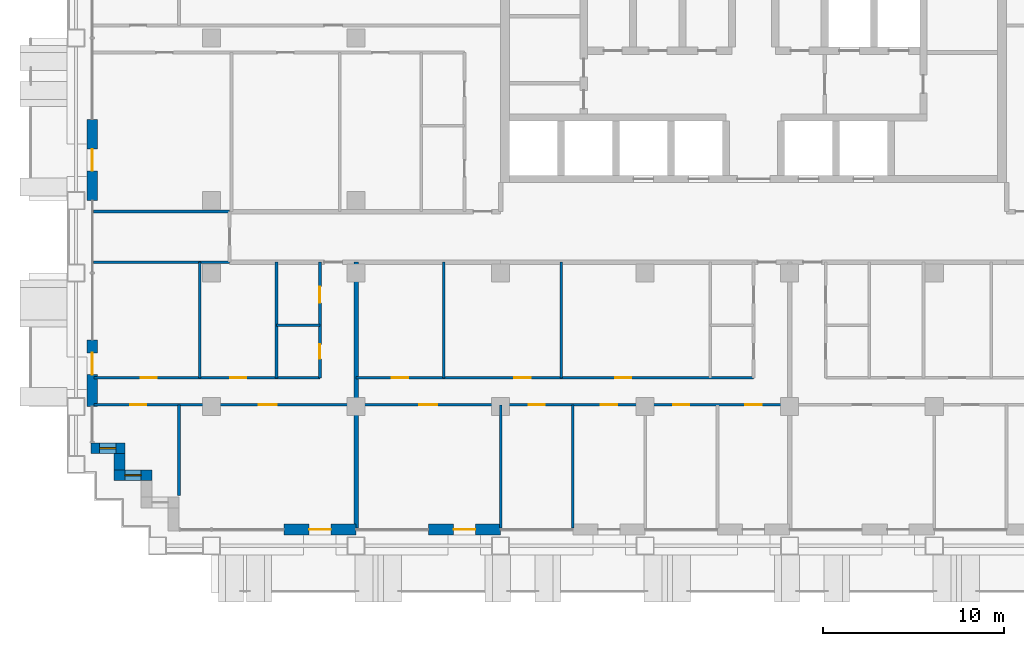
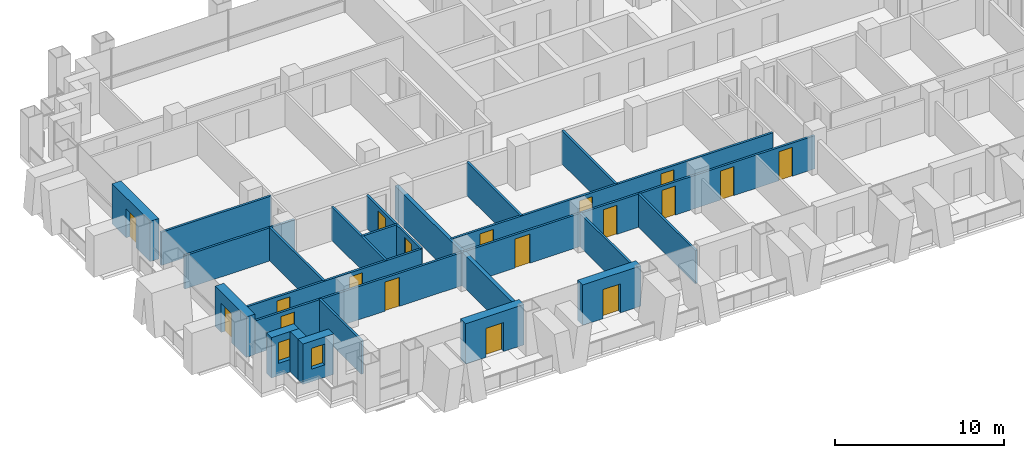
# One storey, part 9 of 18: 23 walls, 18 doors, 2 windows, 20 openings.
"""IFC4 building model written with IfcOpenShell, lengths in metres."""

from ifc_helpers import new_model, si_unit, direction, frame, frame_2d, origin, place, context, subcontext, project, spatial, rectangle, extrude, material, layer, layer_set, type_object, element, fill, save


model = new_model("IFC4")

# Units and contexts
model_context = context("Model", 3, precision=1e-05, world=origin(), true_north=direction((0.0, 1.0)))
body_context = subcontext(model_context, "Body", "Model", "MODEL_VIEW")
ifc_project = project(units=[si_unit("LENGTHUNIT", "METRE"), si_unit("AREAUNIT", "SQUARE_METRE"), si_unit("VOLUMEUNIT", "CUBIC_METRE"), si_unit("PLANEANGLEUNIT", "RADIAN"), si_unit("MASSUNIT", "GRAM", prefix="KILO")], contexts=[model_context])

# Site, building, storey
site_placement = place(None, origin())
site = spatial("IfcSite", under=ifc_project, at=site_placement, CompositionType="ELEMENT")
building_placement = place(site_placement, origin())
building = spatial("IfcBuilding", under=site, at=building_placement, Name="Vidyagriha Tower", CompositionType="ELEMENT")
storey_placement = place(building_placement, frame((0.0, 0.0, 44.800048828125)))
storey = spatial("IfcBuildingStorey", under=building, at=storey_placement, Name="L11", CompositionType="ELEMENT", Elevation=44.800048828125)

# Wall, opening, door
ifc_material_1 = material(Name="Precast concrete C40/50 with brick facing", Category="concrete")
ifc_layer_1 = layer(ifc_material_1, 0.60009765625)
ifc_layer_set_1 = layer_set([ifc_layer_1], Name="Precast concrete C40/50 with brick facing")
wall_type_1 = type_object("IfcWallType", Name="Brick-faced precast wall 600", PredefinedType="STANDARD", material=ifc_layer_set_1)
wall_1_placement = place(storey_placement, frame((-36.60009765625, 6.5, 0.0), z_axis=(0.0, 0.0, 1.0), x_axis=(0.0, -1.0, 0.0)))
wall_1 = element("IfcWall", 1, at=wall_1_placement, inside=storey, type_object=wall_type_1, Name="Brick door bay wall L11 R16.3", PredefinedType="STANDARD", context=body_context, shape_type="SweptSolid", body=[
    extrude(rectangle(XDim=4.5, YDim=0.60009765625, at=frame_2d((2.25, 0.0))), origin(), (0.0, 0.0, 1.0), 2.919921875),
])
opening_1_placement = place(wall_1_placement, frame((1.64990234375, 0.0, 0.0)))
opening_1 = element("IfcOpeningElement", 2, at=opening_1_placement, cuts=wall_1, Name="Opening D11-75", PredefinedType="OPENING", context=body_context, shape_type="SweptSolid", body=[
    extrude(rectangle(XDim=1.199951171875, YDim=2.10009765625, at=frame_2d((0.60009765625, 1.050048828125))), frame((0.0, 0.31005859375, 0.0), z_axis=(0.0, -1.0, 0.0), x_axis=(1.0, 0.0, 0.0)), (0.0, 0.0, 1.0), 0.6201171875),
])
ifc_material_2 = material(Name="Aluminium framed glazed sliding door", Category="aluminium")
door_type_1 = type_object("IfcDoorType", Name="Balcony sliding door 1200x2100", OperationType="NOTDEFINED", PredefinedType="DOOR", material=ifc_material_2)
door_1_placement = place(opening_1_placement, origin())
door_1 = element("IfcDoor", 3, at=door_1_placement, inside=storey, type_object=door_type_1, Name="Door D11-75", OperationType="SLIDING_TO_LEFT", OverallHeight=2.10009765625, OverallWidth=1.199951171875, PredefinedType="DOOR", context=body_context, shape_type="SweptSolid", body=[
    extrude(rectangle(XDim=1.199951171875, YDim=2.10009765625, at=frame_2d((0.60009765625, 1.050048828125))), frame((0.0, 0.02490234375, 0.0), z_axis=(0.0, -1.0, 0.0), x_axis=(1.0, 0.0, 0.0)), (0.0, 0.0, 1.0), 0.050048828125),
])
fill(opening_1, door_1)

wall_2_placement = place(storey_placement, frame((-36.60009765625, -5.699951171875, 0.0), z_axis=(0.0, 0.0, 1.0), x_axis=(0.0, -1.0, 0.0)))
wall_2 = element("IfcWall", 4, at=wall_2_placement, inside=storey, type_object=wall_type_1, Name="Brick door bay wall L11 R16.6", PredefinedType="STANDARD", context=body_context, shape_type="SweptSolid", body=[
    extrude(rectangle(XDim=3.699951171875, YDim=0.60009765625, at=frame_2d((1.85009765625, 0.0))), origin(), (0.0, 0.0, 1.0), 2.919921875),
])
opening_2_placement = place(wall_2_placement, frame((0.72509765625, 0.0, 0.0)))
opening_2 = element("IfcOpeningElement", 5, at=opening_2_placement, cuts=wall_2, Name="Opening D11-76", PredefinedType="OPENING", context=body_context, shape_type="SweptSolid", body=[
    extrude(rectangle(XDim=1.199951171875, YDim=2.10009765625, at=frame_2d((0.60009765625, 1.050048828125))), frame((0.0, 0.31005859375, 0.0), z_axis=(0.0, -1.0, 0.0), x_axis=(1.0, 0.0, 0.0)), (0.0, 0.0, 1.0), 0.6201171875),
])
door_2_placement = place(opening_2_placement, origin())
door_2 = element("IfcDoor", 6, at=door_2_placement, inside=storey, type_object=door_type_1, Name="Door D11-76", OperationType="SLIDING_TO_LEFT", OverallHeight=2.10009765625, OverallWidth=1.199951171875, PredefinedType="DOOR", context=body_context, shape_type="SweptSolid", body=[
    extrude(rectangle(XDim=1.199951171875, YDim=2.10009765625, at=frame_2d((0.60009765625, 1.050048828125))), frame((0.0, 0.02490234375, 0.0), z_axis=(0.0, -1.0, 0.0), x_axis=(1.0, 0.0, 0.0)), (0.0, 0.0, 1.0), 0.050048828125),
])
fill(opening_2, door_2)

# Wall, opening, window
wall_3_placement = place(storey_placement, frame((-36.679931640625, -11.699951171875, 0.0)))
wall_3 = element("IfcWall", 7, at=wall_3_placement, inside=storey, type_object=wall_type_1, Name="Stepped corner wall L11 R17", PredefinedType="STANDARD", context=body_context, shape_type="SweptSolid", body=[
    extrude(rectangle(XDim=1.8798828125, YDim=0.60009765625, at=frame_2d((0.93994140625, 0.0))), origin(), (0.0, 0.0, 1.0), 2.919921875),
])
opening_3_placement = place(wall_3_placement, frame((0.489990234375, 0.0, 0.89990234375)))
opening_3 = element("IfcOpeningElement", 8, at=opening_3_placement, cuts=wall_3, Name="Opening WN1", PredefinedType="OPENING", context=body_context, shape_type="SweptSolid", body=[
    extrude(rectangle(XDim=0.89990234375, YDim=1.5, at=frame_2d((0.449951171875, 0.75))), frame((0.0, 0.31005859375, 0.0), z_axis=(0.0, -1.0, 0.0), x_axis=(1.0, 0.0, 0.0)), (0.0, 0.0, 1.0), 0.6201171875),
])
ifc_material_3 = material(Name="Aluminium and glass window", Category="aluminium")
window_type = type_object("IfcWindowType", Name="Reveal window 900x1500", PartitioningType="NOTDEFINED", PredefinedType="WINDOW", material=ifc_material_3)
window_1_placement = place(opening_3_placement, origin())
window_1 = element("IfcWindow", 9, at=window_1_placement, inside=storey, type_object=window_type, Name="Reveal window L11 R17", OverallHeight=1.5, OverallWidth=0.89990234375, PartitioningType="SINGLE_PANEL", PredefinedType="WINDOW", context=body_context, shape_type="SweptSolid", body=[
    extrude(rectangle(XDim=0.89990234375, YDim=1.5, at=frame_2d((0.449951171875, 0.75))), frame((0.0, 0.030029296875, 0.0), z_axis=(0.0, -1.0, 0.0), x_axis=(1.0, 0.0, 0.0)), (0.0, 0.0, 1.0), 0.06005859375),
])
fill(opening_3, window_1)

# Wall
wall_4_placement = place(storey_placement, frame((-35.10009765625, -12.0, 0.0), z_axis=(0.0, 0.0, 1.0), x_axis=(0.0, -1.0, 0.0)))
element("IfcWall", 10, at=wall_4_placement, inside=storey, type_object=wall_type_1, Name="Stepped corner wall L11 R18", PredefinedType="STANDARD", context=body_context, shape_type="SweptSolid", body=[
    extrude(rectangle(XDim=0.89990234375, YDim=0.60009765625, at=frame_2d((0.449951171875, 0.0))), origin(), (0.0, 0.0, 1.0), 2.919921875),
])

# Wall, opening, window
wall_5_placement = place(storey_placement, frame((-35.39990234375, -13.199951171875, 0.0)))
wall_5 = element("IfcWall", 11, at=wall_5_placement, inside=storey, type_object=wall_type_1, Name="Stepped corner wall L11 R19", PredefinedType="STANDARD", context=body_context, shape_type="SweptSolid", body=[
    extrude(rectangle(XDim=2.099853515625, YDim=0.60009765625, at=frame_2d((1.0498046875, 0.0))), origin(), (0.0, 0.0, 1.0), 2.919921875),
])
opening_4_placement = place(wall_5_placement, frame((0.60009765625, 0.0, 0.89990234375)))
opening_4 = element("IfcOpeningElement", 12, at=opening_4_placement, cuts=wall_5, Name="Opening WN1", PredefinedType="OPENING", context=body_context, shape_type="SweptSolid", body=[
    extrude(rectangle(XDim=0.89990234375, YDim=1.5, at=frame_2d((0.449951171875, 0.75))), frame((0.0, 0.31005859375, 0.0), z_axis=(0.0, -1.0, 0.0), x_axis=(1.0, 0.0, 0.0)), (0.0, 0.0, 1.0), 0.6201171875),
])
window_2_placement = place(opening_4_placement, origin())
window_2 = element("IfcWindow", 13, at=window_2_placement, inside=storey, type_object=window_type, Name="Reveal window L11 R19", OverallHeight=1.5, OverallWidth=0.89990234375, PartitioningType="SINGLE_PANEL", PredefinedType="WINDOW", context=body_context, shape_type="SweptSolid", body=[
    extrude(rectangle(XDim=0.89990234375, YDim=1.5, at=frame_2d((0.449951171875, 0.75))), frame((0.0, 0.030029296875, 0.0), z_axis=(0.0, -1.0, 0.0), x_axis=(1.0, 0.0, 0.0)), (0.0, 0.0, 1.0), 0.06005859375),
])
fill(opening_4, window_2)

# Wall, opening, door
wall_6_placement = place(storey_placement, frame((-26.0, -16.199951171875, 0.0)))
wall_6 = element("IfcWall", 14, at=wall_6_placement, inside=storey, type_object=wall_type_1, Name="Brick door bay wall L11 R23.3", PredefinedType="STANDARD", context=body_context, shape_type="SweptSolid", body=[
    extrude(rectangle(XDim=4.0, YDim=0.60009765625, at=frame_2d((2.0, 0.0))), origin(), (0.0, 0.0, 1.0), 2.919921875),
])
opening_5_placement = place(wall_6_placement, frame((1.39990234375, 0.0, 0.0)))
opening_5 = element("IfcOpeningElement", 15, at=opening_5_placement, cuts=wall_6, Name="Opening D11-77", PredefinedType="OPENING", context=body_context, shape_type="SweptSolid", body=[
    extrude(rectangle(XDim=1.199951171875, YDim=2.10009765625, at=frame_2d((0.60009765625, 1.050048828125))), frame((0.0, 0.31005859375, 0.0), z_axis=(0.0, -1.0, 0.0), x_axis=(1.0, 0.0, 0.0)), (0.0, 0.0, 1.0), 0.6201171875),
])
door_3_placement = place(opening_5_placement, origin())
door_3 = element("IfcDoor", 16, at=door_3_placement, inside=storey, type_object=door_type_1, Name="Door D11-77", OperationType="SLIDING_TO_LEFT", OverallHeight=2.10009765625, OverallWidth=1.199951171875, PredefinedType="DOOR", context=body_context, shape_type="SweptSolid", body=[
    extrude(rectangle(XDim=1.199951171875, YDim=2.10009765625, at=frame_2d((0.60009765625, 1.050048828125))), frame((0.0, 0.02490234375, 0.0), z_axis=(0.0, -1.0, 0.0), x_axis=(1.0, 0.0, 0.0)), (0.0, 0.0, 1.0), 0.050048828125),
])
fill(opening_5, door_3)

wall_7_placement = place(storey_placement, frame((-18.0, -16.199951171875, 0.0)))
wall_7 = element("IfcWall", 17, at=wall_7_placement, inside=storey, type_object=wall_type_1, Name="Brick door bay wall L11 R23.5", PredefinedType="STANDARD", context=body_context, shape_type="SweptSolid", body=[
    extrude(rectangle(XDim=4.0, YDim=0.60009765625, at=frame_2d((2.0, 0.0))), origin(), (0.0, 0.0, 1.0), 2.919921875),
])
opening_6_placement = place(wall_7_placement, frame((1.39990234375, 0.0, 0.0)))
opening_6 = element("IfcOpeningElement", 18, at=opening_6_placement, cuts=wall_7, Name="Opening D11-78", PredefinedType="OPENING", context=body_context, shape_type="SweptSolid", body=[
    extrude(rectangle(XDim=1.199951171875, YDim=2.10009765625, at=frame_2d((0.60009765625, 1.050048828125))), frame((0.0, 0.31005859375, 0.0), z_axis=(0.0, -1.0, 0.0), x_axis=(1.0, 0.0, 0.0)), (0.0, 0.0, 1.0), 0.6201171875),
])
door_4_placement = place(opening_6_placement, origin())
door_4 = element("IfcDoor", 19, at=door_4_placement, inside=storey, type_object=door_type_1, Name="Door D11-78", OperationType="SLIDING_TO_LEFT", OverallHeight=2.10009765625, OverallWidth=1.199951171875, PredefinedType="DOOR", context=body_context, shape_type="SweptSolid", body=[
    extrude(rectangle(XDim=1.199951171875, YDim=2.10009765625, at=frame_2d((0.60009765625, 1.050048828125))), frame((0.0, 0.02490234375, 0.0), z_axis=(0.0, -1.0, 0.0), x_axis=(1.0, 0.0, 0.0)), (0.0, 0.0, 1.0), 0.050048828125),
])
fill(opening_6, door_4)

# Walls
ifc_material_4 = material(Name="Fired clay brick masonry", Category="masonry")
ifc_layer_2 = layer(ifc_material_4, 0.25)
ifc_layer_set_2 = layer_set([ifc_layer_2], Name="Fired clay brick masonry")
wall_type_2 = type_object("IfcWallType", Name="Fired clay brick demising wall 250", PredefinedType="PARTITIONING", material=ifc_layer_set_2)
wall_8_placement = place(storey_placement, frame((-22.0, -1.39990234375, 0.0), z_axis=(0.0, 0.0, 1.0), x_axis=(0.0, -1.0, 0.0)))
element("IfcWall", 20, at=wall_8_placement, inside=storey, type_object=wall_type_2, Name="Wall all-L11-w037", PredefinedType="PARTITIONING", context=body_context, shape_type="SweptSolid", body=[
    extrude(rectangle(XDim=14.710205078125, YDim=0.25, at=frame_2d((7.35498046875, 0.0))), origin(), (0.0, 0.0, 1.0), 2.39990234375),
])
ifc_material_5 = material(Name="Gypsum board partition")
ifc_layer_3 = layer(ifc_material_5, 0.14990234375)
ifc_layer_set_3 = layer_set([ifc_layer_3], Name="Gypsum board partition")
wall_type_3 = type_object("IfcWallType", Name="Gypsum board partition 150", PredefinedType="PARTITIONING", material=ifc_layer_set_3)
wall_9_placement = place(storey_placement, frame((-24.0, -4.89990234375, 0.0), z_axis=(0.0, 0.0, 1.0), x_axis=(-1.0, 0.0, 0.0)))
element("IfcWall", 21, at=wall_9_placement, inside=storey, type_object=wall_type_3, Name="Wall all-L11-w004", PredefinedType="PARTITIONING", context=body_context, shape_type="SweptSolid", body=[
    extrude(rectangle(XDim=2.39990234375, YDim=0.14990234375, at=frame_2d((1.199951171875, 0.0))), origin(), (0.0, 0.0, 1.0), 2.39990234375),
])
for number, where, z_axis, x_axis, name in (
    (22, (-26.39990234375, -7.800048828125, 0.0), (0.0, 0.0, 1.0), (0.0, 1.0, 0.0), "Wall all-L11-w005"),
    (23, (-30.64990234375, -7.800048828125, 0.0), (0.0, 0.0, 1.0), (0.0, 1.0, 0.0), "Wall all-L11-w006"),
):
    element("IfcWall", number, at=place(storey_placement, frame(where, z_axis=z_axis, x_axis=x_axis)), inside=storey, type_object=wall_type_3, Name=name, PredefinedType="PARTITIONING", context=body_context, shape_type="SweptSolid", body=[
        extrude(rectangle(XDim=6.400146484375, YDim=0.14990234375, at=frame_2d((3.2001953125, 0.0))), origin(), (0.0, 0.0, 1.0), 2.39990234375),
    ])

# Wall, openings, doors
wall_10_placement = place(storey_placement, frame((-36.510009765625, -7.800048828125, 0.0)))
wall_10 = element("IfcWall", 24, at=wall_10_placement, inside=storey, type_object=wall_type_3, Name="Wall all-L11-w007", PredefinedType="PARTITIONING", context=body_context, shape_type="SweptSolid", body=[
    extrude(rectangle(XDim=12.510009765625, YDim=0.14990234375, at=frame_2d((6.2548828125, 0.0))), origin(), (0.0, 0.0, 1.0), 2.39990234375),
])
opening_7_placement = place(wall_10_placement, frame((7.534912109375, 0.0, 0.0)))
opening_7 = element("IfcOpeningElement", 25, at=opening_7_placement, cuts=wall_10, Name="Opening D11-17", PredefinedType="OPENING", context=body_context, shape_type="SweptSolid", body=[
    extrude(rectangle(XDim=0.89990234375, YDim=2.10009765625, at=frame_2d((0.449951171875, 1.050048828125))), frame((0.0, 0.0849609375, 0.0), z_axis=(0.0, -1.0, 0.0), x_axis=(1.0, 0.0, 0.0)), (0.0, 0.0, 1.0), 0.169921875),
])
opening_8_placement = place(wall_10_placement, frame((2.5849609375, 0.0, 0.0)))
opening_8 = element("IfcOpeningElement", 26, at=opening_8_placement, cuts=wall_10, Name="Opening D11-18", PredefinedType="OPENING", context=body_context, shape_type="SweptSolid", body=[
    extrude(rectangle(XDim=0.89990234375, YDim=2.10009765625, at=frame_2d((0.449951171875, 1.050048828125))), frame((0.0, 0.0849609375, 0.0), z_axis=(0.0, -1.0, 0.0), x_axis=(1.0, 0.0, 0.0)), (0.0, 0.0, 1.0), 0.169921875),
])
ifc_material_6 = material(Name="Timber door leaf", Category="wood")
door_type_2 = type_object("IfcDoorType", Name="Room door 900x2100", OperationType="NOTDEFINED", PredefinedType="DOOR", material=ifc_material_6)
door_5_placement = place(opening_7_placement, origin())
door_5 = element("IfcDoor", 27, at=door_5_placement, inside=storey, type_object=door_type_2, Name="Door D11-17", OperationType="SINGLE_SWING_RIGHT", OverallHeight=2.10009765625, OverallWidth=0.89990234375, PredefinedType="DOOR", context=body_context, shape_type="SweptSolid", body=[
    extrude(rectangle(XDim=0.89990234375, YDim=2.10009765625, at=frame_2d((0.449951171875, 1.050048828125))), frame((0.0, 0.02490234375, 0.0), z_axis=(0.0, -1.0, 0.0), x_axis=(1.0, 0.0, 0.0)), (0.0, 0.0, 1.0), 0.050048828125),
])
fill(opening_7, door_5)
door_6_placement = place(opening_8_placement, origin())
door_6 = element("IfcDoor", 28, at=door_6_placement, inside=storey, type_object=door_type_2, Name="Door D11-18", OperationType="SINGLE_SWING_LEFT", OverallHeight=2.10009765625, OverallWidth=0.89990234375, PredefinedType="DOOR", context=body_context, shape_type="SweptSolid", body=[
    extrude(rectangle(XDim=0.89990234375, YDim=2.10009765625, at=frame_2d((0.449951171875, 1.050048828125))), frame((0.0, 0.02490234375, 0.0), z_axis=(0.0, -1.0, 0.0), x_axis=(1.0, 0.0, 0.0)), (0.0, 0.0, 1.0), 0.050048828125),
])
fill(opening_8, door_6)

wall_11_placement = place(storey_placement, frame((-22.0, -9.300048828125, 0.0), z_axis=(0.0, 0.0, 1.0), x_axis=(-1.0, 0.0, 0.0)))
wall_11 = element("IfcWall", 29, at=wall_11_placement, inside=storey, type_object=wall_type_3, Name="Wall all-L11-w010", PredefinedType="PARTITIONING", context=body_context, shape_type="SweptSolid", body=[
    extrude(rectangle(XDim=14.510009765625, YDim=0.14990234375, at=frame_2d((7.2548828125, 0.0))), origin(), (0.0, 0.0, 1.0), 2.39990234375),
])
opening_9_placement = place(wall_11_placement, frame((11.60009765625, 0.0, 0.0)))
opening_9 = element("IfcOpeningElement", 30, at=opening_9_placement, cuts=wall_11, Name="Opening D11-19", PredefinedType="OPENING", context=body_context, shape_type="SweptSolid", body=[
    extrude(rectangle(XDim=0.89990234375, YDim=2.10009765625, at=frame_2d((0.449951171875, 1.050048828125))), frame((0.0, 0.0849609375, 0.0), z_axis=(0.0, -1.0, 0.0), x_axis=(1.0, 0.0, 0.0)), (0.0, 0.0, 1.0), 0.169921875),
])
opening_10_placement = place(wall_11_placement, frame((4.39990234375, 0.0, 0.0)))
opening_10 = element("IfcOpeningElement", 31, at=opening_10_placement, cuts=wall_11, Name="Opening D11-20", PredefinedType="OPENING", context=body_context, shape_type="SweptSolid", body=[
    extrude(rectangle(XDim=1.0, YDim=2.10009765625, at=frame_2d((0.5, 1.050048828125))), frame((0.0, 0.0849609375, 0.0), z_axis=(0.0, -1.0, 0.0), x_axis=(1.0, 0.0, 0.0)), (0.0, 0.0, 1.0), 0.169921875),
])
ifc_material_7 = material(Name="Timber door leaf", Category="wood")
door_type_3 = type_object("IfcDoorType", Name="Room door 1000x2100", OperationType="NOTDEFINED", PredefinedType="DOOR", material=ifc_material_7)
door_7_placement = place(opening_10_placement, origin())
door_7 = element("IfcDoor", 32, at=door_7_placement, inside=storey, type_object=door_type_3, Name="Door D11-20", OperationType="SINGLE_SWING_LEFT", OverallHeight=2.10009765625, OverallWidth=1.0, PredefinedType="DOOR", context=body_context, shape_type="SweptSolid", body=[
    extrude(rectangle(XDim=1.0, YDim=2.10009765625, at=frame_2d((0.5, 1.050048828125))), frame((0.0, 0.02490234375, 0.0), z_axis=(0.0, -1.0, 0.0), x_axis=(1.0, 0.0, 0.0)), (0.0, 0.0, 1.0), 0.050048828125),
])
fill(opening_10, door_7)
door_8_placement = place(opening_9_placement, origin())
door_8 = element("IfcDoor", 33, at=door_8_placement, inside=storey, type_object=door_type_2, Name="Door D11-19", OperationType="SINGLE_SWING_LEFT", OverallHeight=2.10009765625, OverallWidth=0.89990234375, PredefinedType="DOOR", context=body_context, shape_type="SweptSolid", body=[
    extrude(rectangle(XDim=0.89990234375, YDim=2.10009765625, at=frame_2d((0.449951171875, 1.050048828125))), frame((0.0, 0.02490234375, 0.0), z_axis=(0.0, -1.0, 0.0), x_axis=(1.0, 0.0, 0.0)), (0.0, 0.0, 1.0), 0.050048828125),
])
fill(opening_9, door_8)

# Walls
wall_12_placement = place(storey_placement, frame((-31.800048828125, -9.300048828125, 0.0), z_axis=(0.0, 0.0, 1.0), x_axis=(0.0, -1.0, 0.0)))
element("IfcWall", 34, at=wall_12_placement, inside=storey, type_object=wall_type_3, Name="Wall all-L11-w013", PredefinedType="PARTITIONING", context=body_context, shape_type="SweptSolid", body=[
    extrude(rectangle(XDim=5.02001953125, YDim=0.14990234375, at=frame_2d((2.510009765625, 0.0))), origin(), (0.0, 0.0, 1.0), 2.39990234375),
])
for number, where, z_axis, x_axis, name in (
    (35, (-10.64990234375, -7.800048828125, 0.0), (0.0, 0.0, 1.0), (0.0, 1.0, 0.0), "Wall all-L11-w020"),
    (36, (-17.14990234375, -7.800048828125, 0.0), (0.0, 0.0, 1.0), (0.0, 1.0, 0.0), "Wall all-L11-w021"),
):
    element("IfcWall", number, at=place(storey_placement, frame(where, z_axis=z_axis, x_axis=x_axis)), inside=storey, type_object=wall_type_3, Name=name, PredefinedType="PARTITIONING", context=body_context, shape_type="SweptSolid", body=[
        extrude(rectangle(XDim=6.400146484375, YDim=0.14990234375, at=frame_2d((3.2001953125, 0.0))), origin(), (0.0, 0.0, 1.0), 2.39990234375),
    ])

# Wall, openings, doors
wall_13_placement = place(storey_placement, frame((-22.0, -7.800048828125, 0.0)))
wall_13 = element("IfcWall", 37, at=wall_13_placement, inside=storey, type_object=wall_type_3, Name="Wall all-L11-w022", PredefinedType="PARTITIONING", context=body_context, shape_type="SweptSolid", body=[
    extrude(rectangle(XDim=22.0, YDim=0.14990234375, at=frame_2d((11.0, 0.0))), origin(), (0.0, 0.0, 1.0), 2.39990234375),
])
opening_11_placement = place(wall_13_placement, frame((14.340087890625, 0.0, 0.0)))
opening_11 = element("IfcOpeningElement", 38, at=opening_11_placement, cuts=wall_13, Name="Opening D11-24", PredefinedType="OPENING", context=body_context, shape_type="SweptSolid", body=[
    extrude(rectangle(XDim=0.89990234375, YDim=2.10009765625, at=frame_2d((0.449951171875, 1.050048828125))), frame((0.0, 0.0849609375, 0.0), z_axis=(0.0, -1.0, 0.0), x_axis=(1.0, 0.0, 0.0)), (0.0, 0.0, 1.0), 0.169921875),
])
opening_12_placement = place(wall_13_placement, frame((8.760009765625, 0.0, 0.0)))
opening_12 = element("IfcOpeningElement", 39, at=opening_12_placement, cuts=wall_13, Name="Opening D11-25", PredefinedType="OPENING", context=body_context, shape_type="SweptSolid", body=[
    extrude(rectangle(XDim=0.89990234375, YDim=2.10009765625, at=frame_2d((0.449951171875, 1.050048828125))), frame((0.0, 0.0849609375, 0.0), z_axis=(0.0, -1.0, 0.0), x_axis=(1.0, 0.0, 0.0)), (0.0, 0.0, 1.0), 0.169921875),
])
opening_13_placement = place(wall_13_placement, frame((1.97509765625, 0.0, 0.0)))
opening_13 = element("IfcOpeningElement", 40, at=opening_13_placement, cuts=wall_13, Name="Opening D11-26", PredefinedType="OPENING", context=body_context, shape_type="SweptSolid", body=[
    extrude(rectangle(XDim=0.89990234375, YDim=2.10009765625, at=frame_2d((0.449951171875, 1.050048828125))), frame((0.0, 0.0849609375, 0.0), z_axis=(0.0, -1.0, 0.0), x_axis=(1.0, 0.0, 0.0)), (0.0, 0.0, 1.0), 0.169921875),
])
door_9_placement = place(opening_11_placement, origin())
door_9 = element("IfcDoor", 41, at=door_9_placement, inside=storey, type_object=door_type_2, Name="Door D11-24", OperationType="SINGLE_SWING_LEFT", OverallHeight=2.10009765625, OverallWidth=0.89990234375, PredefinedType="DOOR", context=body_context, shape_type="SweptSolid", body=[
    extrude(rectangle(XDim=0.89990234375, YDim=2.10009765625, at=frame_2d((0.449951171875, 1.050048828125))), frame((0.0, 0.02490234375, 0.0), z_axis=(0.0, -1.0, 0.0), x_axis=(1.0, 0.0, 0.0)), (0.0, 0.0, 1.0), 0.050048828125),
])
fill(opening_11, door_9)
door_10_placement = place(opening_12_placement, origin())
door_10 = element("IfcDoor", 42, at=door_10_placement, inside=storey, type_object=door_type_2, Name="Door D11-25", OperationType="SINGLE_SWING_RIGHT", OverallHeight=2.10009765625, OverallWidth=0.89990234375, PredefinedType="DOOR", context=body_context, shape_type="SweptSolid", body=[
    extrude(rectangle(XDim=0.89990234375, YDim=2.10009765625, at=frame_2d((0.449951171875, 1.050048828125))), frame((0.0, 0.02490234375, 0.0), z_axis=(0.0, -1.0, 0.0), x_axis=(1.0, 0.0, 0.0)), (0.0, 0.0, 1.0), 0.050048828125),
])
fill(opening_12, door_10)
door_11_placement = place(opening_13_placement, origin())
door_11 = element("IfcDoor", 43, at=door_11_placement, inside=storey, type_object=door_type_2, Name="Door D11-26", OperationType="SINGLE_SWING_RIGHT", OverallHeight=2.10009765625, OverallWidth=0.89990234375, PredefinedType="DOOR", context=body_context, shape_type="SweptSolid", body=[
    extrude(rectangle(XDim=0.89990234375, YDim=2.10009765625, at=frame_2d((0.449951171875, 1.050048828125))), frame((0.0, 0.02490234375, 0.0), z_axis=(0.0, -1.0, 0.0), x_axis=(1.0, 0.0, 0.0)), (0.0, 0.0, 1.0), 0.050048828125),
])
fill(opening_13, door_11)

wall_14_placement = place(storey_placement, frame((2.0, -9.300048828125, 0.0), z_axis=(0.0, 0.0, 1.0), x_axis=(-1.0, 0.0, 0.0)))
wall_14 = element("IfcWall", 44, at=wall_14_placement, inside=storey, type_object=wall_type_3, Name="Wall all-L11-w026", PredefinedType="PARTITIONING", context=body_context, shape_type="SweptSolid", body=[
    extrude(rectangle(XDim=24.0, YDim=0.14990234375, at=frame_2d((12.0, 0.0))), origin(), (0.0, 0.0, 1.0), 2.39990234375),
])
opening_14_placement = place(wall_14_placement, frame((19.5, 0.0, 0.0)))
opening_14 = element("IfcOpeningElement", 45, at=opening_14_placement, cuts=wall_14, Name="Opening D11-27", PredefinedType="OPENING", context=body_context, shape_type="SweptSolid", body=[
    extrude(rectangle(XDim=1.0, YDim=2.10009765625, at=frame_2d((0.5, 1.050048828125))), frame((0.0, 0.0849609375, 0.0), z_axis=(0.0, -1.0, 0.0), x_axis=(1.0, 0.0, 0.0)), (0.0, 0.0, 1.0), 0.169921875),
])
opening_15_placement = place(wall_14_placement, frame((13.550048828125, 0.0, 0.0)))
opening_15 = element("IfcOpeningElement", 46, at=opening_15_placement, cuts=wall_14, Name="Opening D11-28", PredefinedType="OPENING", context=body_context, shape_type="SweptSolid", body=[
    extrude(rectangle(XDim=0.89990234375, YDim=2.10009765625, at=frame_2d((0.449951171875, 1.050048828125))), frame((0.0, 0.0849609375, 0.0), z_axis=(0.0, -1.0, 0.0), x_axis=(1.0, 0.0, 0.0)), (0.0, 0.0, 1.0), 0.169921875),
])
opening_16_placement = place(wall_14_placement, frame((9.550048828125, 0.0, 0.0)))
opening_16 = element("IfcOpeningElement", 47, at=opening_16_placement, cuts=wall_14, Name="Opening D11-29", PredefinedType="OPENING", context=body_context, shape_type="SweptSolid", body=[
    extrude(rectangle(XDim=0.89990234375, YDim=2.10009765625, at=frame_2d((0.449951171875, 1.050048828125))), frame((0.0, 0.0849609375, 0.0), z_axis=(0.0, -1.0, 0.0), x_axis=(1.0, 0.0, 0.0)), (0.0, 0.0, 1.0), 0.169921875),
])
opening_17_placement = place(wall_14_placement, frame((5.550048828125, 0.0, 0.0)))
opening_17 = element("IfcOpeningElement", 48, at=opening_17_placement, cuts=wall_14, Name="Opening D11-30", PredefinedType="OPENING", context=body_context, shape_type="SweptSolid", body=[
    extrude(rectangle(XDim=0.89990234375, YDim=2.10009765625, at=frame_2d((0.449951171875, 1.050048828125))), frame((0.0, 0.0849609375, 0.0), z_axis=(0.0, -1.0, 0.0), x_axis=(1.0, 0.0, 0.0)), (0.0, 0.0, 1.0), 0.169921875),
])
opening_18_placement = place(wall_14_placement, frame((1.550048828125, 0.0, 0.0)))
opening_18 = element("IfcOpeningElement", 49, at=opening_18_placement, cuts=wall_14, Name="Opening D11-31", PredefinedType="OPENING", context=body_context, shape_type="SweptSolid", body=[
    extrude(rectangle(XDim=0.89990234375, YDim=2.10009765625, at=frame_2d((0.449951171875, 1.050048828125))), frame((0.0, 0.0849609375, 0.0), z_axis=(0.0, -1.0, 0.0), x_axis=(1.0, 0.0, 0.0)), (0.0, 0.0, 1.0), 0.169921875),
])
door_12_placement = place(opening_14_placement, origin())
door_12 = element("IfcDoor", 50, at=door_12_placement, inside=storey, type_object=door_type_3, Name="Door D11-27", OperationType="SINGLE_SWING_RIGHT", OverallHeight=2.10009765625, OverallWidth=1.0, PredefinedType="DOOR", context=body_context, shape_type="SweptSolid", body=[
    extrude(rectangle(XDim=1.0, YDim=2.10009765625, at=frame_2d((0.5, 1.050048828125))), frame((0.0, 0.02490234375, 0.0), z_axis=(0.0, -1.0, 0.0), x_axis=(1.0, 0.0, 0.0)), (0.0, 0.0, 1.0), 0.050048828125),
])
fill(opening_14, door_12)
door_13_placement = place(opening_15_placement, origin())
door_13 = element("IfcDoor", 51, at=door_13_placement, inside=storey, type_object=door_type_2, Name="Door D11-28", OperationType="SINGLE_SWING_RIGHT", OverallHeight=2.10009765625, OverallWidth=0.89990234375, PredefinedType="DOOR", context=body_context, shape_type="SweptSolid", body=[
    extrude(rectangle(XDim=0.89990234375, YDim=2.10009765625, at=frame_2d((0.449951171875, 1.050048828125))), frame((0.0, 0.02490234375, 0.0), z_axis=(0.0, -1.0, 0.0), x_axis=(1.0, 0.0, 0.0)), (0.0, 0.0, 1.0), 0.050048828125),
])
fill(opening_15, door_13)
door_14_placement = place(opening_16_placement, origin())
door_14 = element("IfcDoor", 52, at=door_14_placement, inside=storey, type_object=door_type_2, Name="Door D11-29", OperationType="SINGLE_SWING_RIGHT", OverallHeight=2.10009765625, OverallWidth=0.89990234375, PredefinedType="DOOR", context=body_context, shape_type="SweptSolid", body=[
    extrude(rectangle(XDim=0.89990234375, YDim=2.10009765625, at=frame_2d((0.449951171875, 1.050048828125))), frame((0.0, 0.02490234375, 0.0), z_axis=(0.0, -1.0, 0.0), x_axis=(1.0, 0.0, 0.0)), (0.0, 0.0, 1.0), 0.050048828125),
])
fill(opening_16, door_14)
door_15_placement = place(opening_17_placement, origin())
door_15 = element("IfcDoor", 53, at=door_15_placement, inside=storey, type_object=door_type_2, Name="Door D11-30", OperationType="SINGLE_SWING_RIGHT", OverallHeight=2.10009765625, OverallWidth=0.89990234375, PredefinedType="DOOR", context=body_context, shape_type="SweptSolid", body=[
    extrude(rectangle(XDim=0.89990234375, YDim=2.10009765625, at=frame_2d((0.449951171875, 1.050048828125))), frame((0.0, 0.02490234375, 0.0), z_axis=(0.0, -1.0, 0.0), x_axis=(1.0, 0.0, 0.0)), (0.0, 0.0, 1.0), 0.050048828125),
])
fill(opening_17, door_15)
door_16_placement = place(opening_18_placement, origin())
door_16 = element("IfcDoor", 54, at=door_16_placement, inside=storey, type_object=door_type_2, Name="Door D11-31", OperationType="SINGLE_SWING_RIGHT", OverallHeight=2.10009765625, OverallWidth=0.89990234375, PredefinedType="DOOR", context=body_context, shape_type="SweptSolid", body=[
    extrude(rectangle(XDim=0.89990234375, YDim=2.10009765625, at=frame_2d((0.449951171875, 1.050048828125))), frame((0.0, 0.02490234375, 0.0), z_axis=(0.0, -1.0, 0.0), x_axis=(1.0, 0.0, 0.0)), (0.0, 0.0, 1.0), 0.050048828125),
])
fill(opening_18, door_16)

# Walls
wall_15_placement = place(storey_placement, frame((-14.0, -9.300048828125, 0.0), z_axis=(0.0, 0.0, 1.0), x_axis=(0.0, -1.0, 0.0)))
element("IfcWall", 55, at=wall_15_placement, inside=storey, type_object=wall_type_3, Name="Wall all-L11-w032", PredefinedType="PARTITIONING", context=body_context, shape_type="SweptSolid", body=[
    extrude(rectangle(XDim=6.81005859375, YDim=0.14990234375, at=frame_2d((3.405029296875, 0.0))), origin(), (0.0, 0.0, 1.0), 2.39990234375),
])
wall_16_placement = place(storey_placement, frame((-10.0, -9.300048828125, 0.0), z_axis=(0.0, 0.0, 1.0), x_axis=(0.0, -1.0, 0.0)))
element("IfcWall", 56, at=wall_16_placement, inside=storey, type_object=wall_type_3, Name="Wall all-L11-w033", PredefinedType="PARTITIONING", context=body_context, shape_type="SweptSolid", body=[
    extrude(rectangle(XDim=6.821044921875, YDim=0.14990234375, at=frame_2d((3.41064453125, 0.0))), origin(), (0.0, 0.0, 1.0), 2.39990234375),
])
wall_17_placement = place(storey_placement, frame((-29.0, -1.39990234375, 0.0), z_axis=(0.0, 0.0, 1.0), x_axis=(-1.0, 0.0, 0.0)))
element("IfcWall", 57, at=wall_17_placement, inside=storey, type_object=wall_type_3, Name="Wall all-L11-w079", PredefinedType="PARTITIONING", context=body_context, shape_type="SweptSolid", body=[
    extrude(rectangle(XDim=7.52001953125, YDim=0.14990234375, at=frame_2d((3.760009765625, 0.0))), origin(), (0.0, 0.0, 1.0), 2.39990234375),
])
wall_18_placement = place(storey_placement, frame((-36.52001953125, 1.39990234375, 0.0)))
element("IfcWall", 58, at=wall_18_placement, inside=storey, type_object=wall_type_3, Name="Wall all-L11-w099", PredefinedType="PARTITIONING", context=body_context, shape_type="SweptSolid", body=[
    extrude(rectangle(XDim=7.52001953125, YDim=0.14990234375, at=frame_2d((3.760009765625, 0.0))), origin(), (0.0, 0.0, 1.0), 2.39990234375),
])

# Wall, openings, doors
ifc_material_8 = material(Name="Moisture resistant gypsum board partition")
ifc_layer_4 = layer(ifc_material_8, 0.14990234375)
ifc_layer_set_4 = layer_set([ifc_layer_4], Name="Moisture resistant gypsum board partition")
wall_type_4 = type_object("IfcWallType", Name="Gypsum board wet-area partition 150", PredefinedType="PARTITIONING", material=ifc_layer_set_4)
wall_19_placement = place(storey_placement, frame((-24.0, -7.800048828125, 0.0), z_axis=(0.0, 0.0, 1.0), x_axis=(0.0, 1.0, 0.0)))
wall_19 = element("IfcWall", 59, at=wall_19_placement, inside=storey, type_object=wall_type_4, Name="Wall all-L11-w001", PredefinedType="PARTITIONING", context=body_context, shape_type="SweptSolid", body=[
    extrude(rectangle(XDim=6.400146484375, YDim=0.14990234375, at=frame_2d((3.2001953125, 0.0))), origin(), (0.0, 0.0, 1.0), 2.39990234375),
])
opening_19_placement = place(wall_19_placement, frame((4.139892578125, 0.0, 0.0)))
opening_19 = element("IfcOpeningElement", 60, at=opening_19_placement, cuts=wall_19, Name="Opening D11-15", PredefinedType="OPENING", context=body_context, shape_type="SweptSolid", body=[
    extrude(rectangle(XDim=0.89990234375, YDim=2.10009765625, at=frame_2d((0.449951171875, 1.050048828125))), frame((0.0, 0.0849609375, 0.0), z_axis=(0.0, -1.0, 0.0), x_axis=(1.0, 0.0, 0.0)), (0.0, 0.0, 1.0), 0.169921875),
])
opening_20_placement = place(wall_19_placement, frame((1.050048828125, 0.0, 0.0)))
opening_20 = element("IfcOpeningElement", 61, at=opening_20_placement, cuts=wall_19, Name="Opening D11-16", PredefinedType="OPENING", context=body_context, shape_type="SweptSolid", body=[
    extrude(rectangle(XDim=0.800048828125, YDim=2.10009765625, at=frame_2d((0.39990234375, 1.050048828125))), frame((0.0, 0.0849609375, 0.0), z_axis=(0.0, -1.0, 0.0), x_axis=(1.0, 0.0, 0.0)), (0.0, 0.0, 1.0), 0.169921875),
])
ifc_material_9 = material(Name="Timber door leaf", Category="wood")
door_type_4 = type_object("IfcDoorType", Name="Bathroom door 800x2100", OperationType="NOTDEFINED", PredefinedType="DOOR", material=ifc_material_9)
door_17_placement = place(opening_20_placement, origin())
door_17 = element("IfcDoor", 62, at=door_17_placement, inside=storey, type_object=door_type_4, Name="Door D11-16", OperationType="SINGLE_SWING_RIGHT", OverallHeight=2.10009765625, OverallWidth=0.800048828125, PredefinedType="DOOR", context=body_context, shape_type="SweptSolid", body=[
    extrude(rectangle(XDim=0.800048828125, YDim=2.10009765625, at=frame_2d((0.39990234375, 1.050048828125))), frame((0.0, 0.02490234375, 0.0), z_axis=(0.0, -1.0, 0.0), x_axis=(1.0, 0.0, 0.0)), (0.0, 0.0, 1.0), 0.050048828125),
])
fill(opening_20, door_17)
ifc_material_10 = material(Name="Timber door leaf", Category="wood")
door_type_5 = type_object("IfcDoorType", Name="Kitchen door 900x2100", OperationType="NOTDEFINED", PredefinedType="DOOR", material=ifc_material_10)
door_18_placement = place(opening_19_placement, origin())
door_18 = element("IfcDoor", 63, at=door_18_placement, inside=storey, type_object=door_type_5, Name="Door D11-15", OperationType="SINGLE_SWING_LEFT", OverallHeight=2.10009765625, OverallWidth=0.89990234375, PredefinedType="DOOR", context=body_context, shape_type="SweptSolid", body=[
    extrude(rectangle(XDim=0.89990234375, YDim=2.10009765625, at=frame_2d((0.449951171875, 1.050048828125))), frame((0.0, 0.02490234375, 0.0), z_axis=(0.0, -1.0, 0.0), x_axis=(1.0, 0.0, 0.0)), (0.0, 0.0, 1.0), 0.050048828125),
])
fill(opening_19, door_18)

save(model, "model.ifc")
